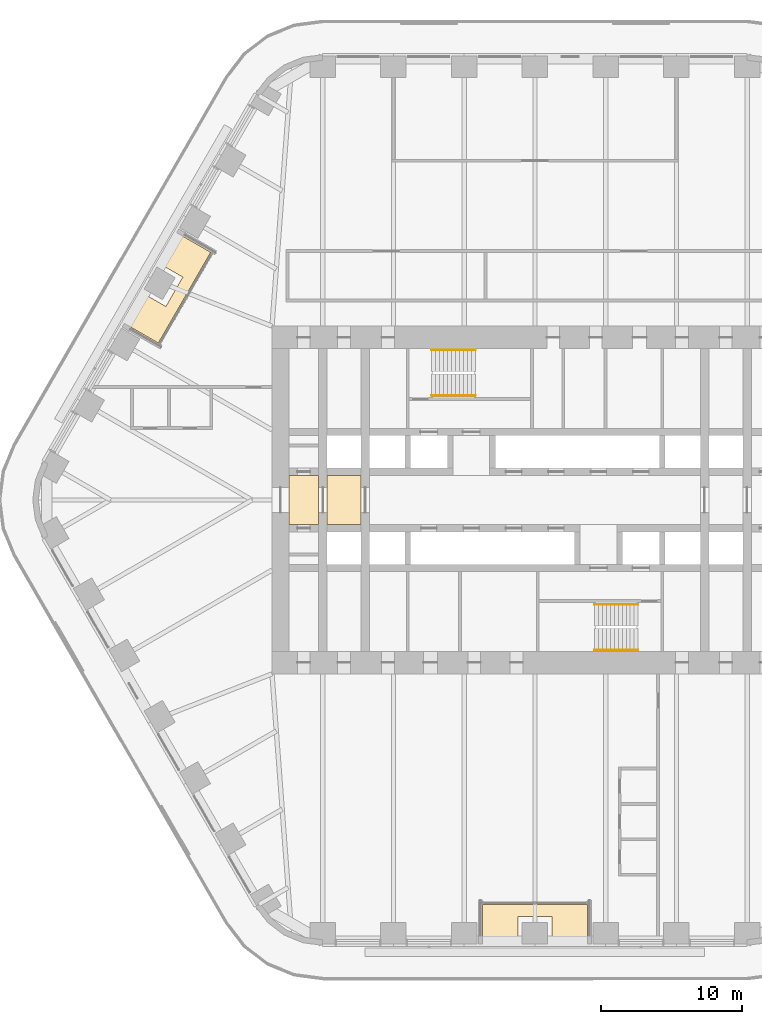
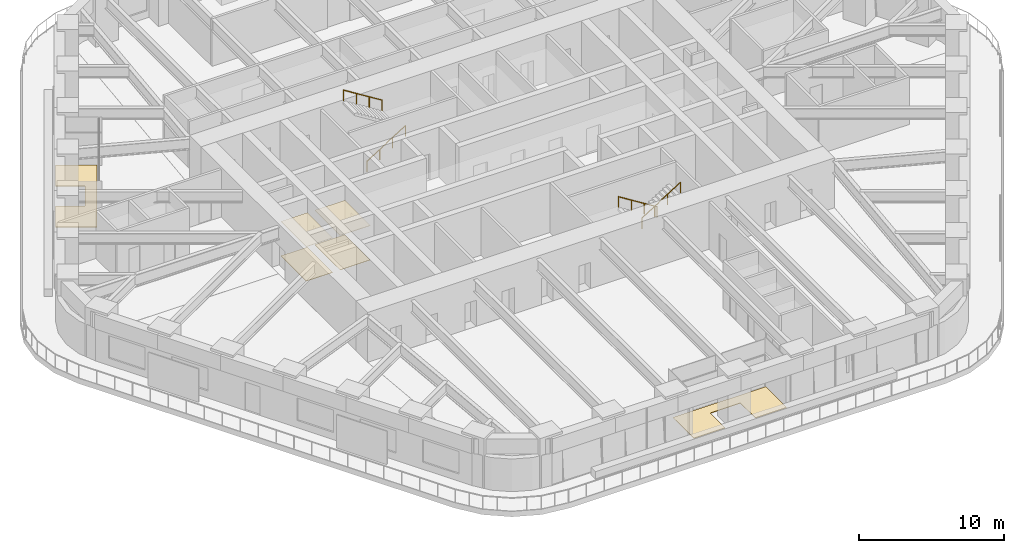
# One storey, part 22 of 24: 6 coverings, 4 railings.
"""IFC4 building model written with IfcOpenShell, lengths in metres."""

from ifc_helpers import new_model, si_unit, direction, frame, origin, origin_2d, place, context, subcontext, project, spatial, polyline, circle, outline, extrude, material, layer, layer_set, type_object, element, save


model = new_model("IFC4")

# Units and contexts
model_context = context("Model", 3, precision=1e-05, world=origin(), true_north=direction((0.0, 1.0)))
body_context = subcontext(model_context, "Body", "Model", "MODEL_VIEW")
ifc_project = project(units=[si_unit("LENGTHUNIT", "METRE"), si_unit("AREAUNIT", "SQUARE_METRE"), si_unit("VOLUMEUNIT", "CUBIC_METRE"), si_unit("PLANEANGLEUNIT", "RADIAN"), si_unit("MASSUNIT", "GRAM", prefix="KILO")], contexts=[model_context])

# Site, building, storey
site_placement = place(None, origin())
site = spatial("IfcSite", under=ifc_project, at=site_placement, CompositionType="ELEMENT")
building_placement = place(site_placement, origin())
building = spatial("IfcBuilding", under=site, at=building_placement, Name="Tarfa Lantern Tower", CompositionType="ELEMENT")
storey_placement = place(building_placement, frame((0.0, 0.0, 136.300048828125)))
storey = spatial("IfcBuildingStorey", under=building, at=storey_placement, Name="L30", CompositionType="ELEMENT", Elevation=136.300048828125)

# Coverings
ifc_material_1 = material(Name="Powder-coated aluminium panel", Category="aluminium")
ifc_layer_1 = layer(ifc_material_1, 0.030029296875)
ifc_layer_set_1 = layer_set([ifc_layer_1], Name="CL3 METAL PANEL CEILING 30")
covering_type_1 = type_object("IfcCoveringType", Name="CL3 METAL PANEL CEILING 30", PredefinedType="CEILING", material=ifc_layer_set_1)
covering_1_placement = place(storey_placement, frame((0.0, 0.0, 2.89990234375)))
element("IfcCovering", 1, at=covering_1_placement, inside=storey, type_object=covering_type_1, Name="Ceiling L30-01", PredefinedType="CEILING", context=body_context, shape_type="SweptSolid", body=[
    extrude(outline(polyline([(-17.39990234375, -1.75), (-15.300048828125, -1.75), (-15.300048828125, 1.75), (-17.39990234375, 1.75), (-17.39990234375, -1.75)])), origin(), (0.0, 0.0, 1.0), 0.030029296875),
])
covering_2_placement = place(storey_placement, frame((0.0, 0.0, 2.89990234375)))
element("IfcCovering", 2, at=covering_2_placement, inside=storey, type_object=covering_type_1, Name="Ceiling L30-02", PredefinedType="CEILING", context=body_context, shape_type="SweptSolid", body=[
    extrude(outline(polyline([(-14.699951171875, -1.75), (-12.300048828125, -1.75), (-12.300048828125, 1.75), (-14.699951171875, 1.75), (-14.699951171875, -1.75)])), origin(), (0.0, 0.0, 1.0), 0.030029296875),
])
ifc_material_2 = material(Name="Honed limestone flooring", Category="masonry")
ifc_layer_2 = layer(ifc_material_2, 0.030029296875)
ifc_layer_set_2 = layer_set([ifc_layer_2], Name="FL2 STONE FLOORING 30")
covering_type_2 = type_object("IfcCoveringType", Name="FL2 STONE FLOORING 30", PredefinedType="FLOORING", material=ifc_layer_set_2)
covering_3_placement = place(storey_placement, origin())
element("IfcCovering", 3, at=covering_3_placement, inside=storey, type_object=covering_type_2, Name="Floor finish L30-01", PredefinedType="FLOORING", context=body_context, shape_type="SweptSolid", body=[
    extrude(outline(polyline([(-17.39990234375, -1.75), (-15.300048828125, -1.75), (-15.300048828125, 1.75), (-17.39990234375, 1.75), (-17.39990234375, -1.75)])), origin(), (0.0, 0.0, 1.0), 0.030029296875),
])
covering_4_placement = place(storey_placement, origin())
element("IfcCovering", 4, at=covering_4_placement, inside=storey, type_object=covering_type_2, Name="Floor finish L30-02", PredefinedType="FLOORING", context=body_context, shape_type="SweptSolid", body=[
    extrude(outline(polyline([(-14.699951171875, -1.75), (-12.300048828125, -1.75), (-12.300048828125, 1.75), (-14.699951171875, 1.75), (-14.699951171875, -1.75)])), origin(), (0.0, 0.0, 1.0), 0.030029296875),
])

# Railings
ifc_material_3 = material(Name="Stainless steel", Category="steel")
railing_type = type_object("IfcRailingType", Name="HR1 HANDRAIL 900", PredefinedType="HANDRAIL", material=ifc_material_3)
railing_1_placement = place(storey_placement, frame((-7.300048828125, 7.3798828125, 0.175048828125)))
element("IfcRailing", 5, at=railing_1_placement, inside=storey, type_object=railing_type, Name="Handrail 1", PredefinedType="HANDRAIL", context=body_context, shape_type="SweptSolid", body=[
    extrude(circle(Radius=0.02392578125, at=origin_2d()), frame((0.0, 0.0, 0.8759765625), z_axis=(0.848028513186, 0.0, 0.529950602248), x_axis=(0.0, 1.0, 0.0)), (0.0, 0.0, 1.0), 3.632080078125),
    extrude(circle(Radius=0.02099609375, at=origin_2d()), frame((0.0, 0.0, 0.0), z_axis=(0.0, 0.0, 1.0), x_axis=(0.0, 1.0, 0.0)), (0.0, 0.0, 1.0), 0.851806640625),
    extrude(circle(Radius=0.02099609375, at=origin_2d()), frame((1.026611328125, 0.0, 0.6416015625), z_axis=(0.0, 0.0, 1.0), x_axis=(0.0, 1.0, 0.0)), (0.0, 0.0, 1.0), 0.851806640625),
    extrude(circle(Radius=0.02099609375, at=origin_2d()), frame((2.053466796875, 0.0, 1.283203125), z_axis=(0.0, 0.0, 1.0), x_axis=(0.0, 1.0, 0.0)), (0.0, 0.0, 1.0), 0.851806640625),
    extrude(circle(Radius=0.02099609375, at=origin_2d()), frame((3.080078125, 0.0, 1.9248046875), z_axis=(0.0, 0.0, 1.0), x_axis=(0.0, 1.0, 0.0)), (0.0, 0.0, 1.0), 0.851806640625),
])
railing_2_placement = place(storey_placement, frame((-4.219970703125, 10.6201171875, 2.27490234375)))
element("IfcRailing", 6, at=railing_2_placement, inside=storey, type_object=railing_type, Name="Handrail 2", PredefinedType="HANDRAIL", context=body_context, shape_type="SweptSolid", body=[
    extrude(circle(Radius=0.02392578125, at=origin_2d()), frame((0.0, 0.0, 0.8759765625), z_axis=(-0.847998304005, 0.0, 0.529998940003), x_axis=(0.0, -1.0, 0.0)), (0.0, 0.0, 1.0), 3.632080078125),
    extrude(circle(Radius=0.02099609375, at=origin_2d()), frame((0.0, 0.0, 0.0), z_axis=(0.0, 0.0, 1.0), x_axis=(0.0, -1.0, 0.0)), (0.0, 0.0, 1.0), 0.851806640625),
    extrude(circle(Radius=0.02099609375, at=origin_2d()), frame((-1.026611328125, 0.0, 0.6416015625), z_axis=(0.0, 0.0, 1.0), x_axis=(0.0, -1.0, 0.0)), (0.0, 0.0, 1.0), 0.851806640625),
    extrude(circle(Radius=0.02099609375, at=origin_2d()), frame((-2.053466796875, 0.0, 1.283447265625), z_axis=(0.0, 0.0, 1.0), x_axis=(0.0, -1.0, 0.0)), (0.0, 0.0, 1.0), 0.851806640625),
    extrude(circle(Radius=0.02099609375, at=origin_2d()), frame((-3.080078125, 0.0, 1.925048828125), z_axis=(0.0, 0.0, 1.0), x_axis=(0.0, -1.0, 0.0)), (0.0, 0.0, 1.0), 0.851806640625),
])
railing_3_placement = place(storey_placement, frame((7.300048828125, -7.3798828125, 0.175048828125)))
element("IfcRailing", 7, at=railing_3_placement, inside=storey, type_object=railing_type, Name="Handrail 1", PredefinedType="HANDRAIL", context=body_context, shape_type="SweptSolid", body=[
    extrude(circle(Radius=0.02392578125, at=origin_2d()), frame((0.0, 0.0, 0.8759765625), z_axis=(-0.848028513186, 0.0, 0.529950602248), x_axis=(0.0, -1.0, 0.0)), (0.0, 0.0, 1.0), 3.632080078125),
    extrude(circle(Radius=0.02099609375, at=origin_2d()), frame((0.0, 0.0, 0.0), z_axis=(0.0, 0.0, 1.0), x_axis=(0.0, -1.0, 0.0)), (0.0, 0.0, 1.0), 0.851806640625),
    extrude(circle(Radius=0.02099609375, at=origin_2d()), frame((-1.026611328125, 0.0, 0.6416015625), z_axis=(0.0, 0.0, 1.0), x_axis=(0.0, -1.0, 0.0)), (0.0, 0.0, 1.0), 0.851806640625),
    extrude(circle(Radius=0.02099609375, at=origin_2d()), frame((-2.053466796875, 0.0, 1.283203125), z_axis=(0.0, 0.0, 1.0), x_axis=(0.0, -1.0, 0.0)), (0.0, 0.0, 1.0), 0.851806640625),
    extrude(circle(Radius=0.02099609375, at=origin_2d()), frame((-3.080078125, 0.0, 1.9248046875), z_axis=(0.0, 0.0, 1.0), x_axis=(0.0, -1.0, 0.0)), (0.0, 0.0, 1.0), 0.851806640625),
])
railing_4_placement = place(storey_placement, frame((4.219970703125, -10.6201171875, 2.27490234375)))
element("IfcRailing", 8, at=railing_4_placement, inside=storey, type_object=railing_type, Name="Handrail 2", PredefinedType="HANDRAIL", context=body_context, shape_type="SweptSolid", body=[
    extrude(circle(Radius=0.02392578125, at=origin_2d()), frame((0.0, 0.0, 0.8759765625), z_axis=(0.847998304005, 0.0, 0.529998940003), x_axis=(0.0, 1.0, 0.0)), (0.0, 0.0, 1.0), 3.632080078125),
    extrude(circle(Radius=0.02099609375, at=origin_2d()), frame((0.0, 0.0, 0.0), z_axis=(0.0, 0.0, 1.0), x_axis=(0.0, 1.0, 0.0)), (0.0, 0.0, 1.0), 0.851806640625),
    extrude(circle(Radius=0.02099609375, at=origin_2d()), frame((1.026611328125, 0.0, 0.6416015625), z_axis=(0.0, 0.0, 1.0), x_axis=(0.0, 1.0, 0.0)), (0.0, 0.0, 1.0), 0.851806640625),
    extrude(circle(Radius=0.02099609375, at=origin_2d()), frame((2.053466796875, 0.0, 1.283447265625), z_axis=(0.0, 0.0, 1.0), x_axis=(0.0, 1.0, 0.0)), (0.0, 0.0, 1.0), 0.851806640625),
    extrude(circle(Radius=0.02099609375, at=origin_2d()), frame((3.080078125, 0.0, 1.925048828125), z_axis=(0.0, 0.0, 1.0), x_axis=(0.0, 1.0, 0.0)), (0.0, 0.0, 1.0), 0.851806640625),
])

# Coverings
ifc_material_4 = material(Name="Porcelain pavers on pedestals", Category="ceramic")
ifc_layer_3 = layer(ifc_material_4, 0.0400390625)
ifc_layer_set_3 = layer_set([ifc_layer_3], Name="LP1 LOGGIA PAVING 40")
covering_type_3 = type_object("IfcCoveringType", Name="LP1 LOGGIA PAVING 40", PredefinedType="FLOORING", material=ifc_layer_set_3)
covering_5_placement = place(storey_placement, origin())
element("IfcCovering", 9, at=covering_5_placement, inside=storey, type_object=covering_type_3, Name="Loggia paving NW", PredefinedType="FLOORING", context=body_context, shape_type="SweptSolid", body=[
    extrude(outline(polyline([(-25.427978515625, 18.95751953125), (-22.933837890625, 17.517578125), (-26.637451171875, 11.1025390625), (-29.131591796875, 12.54248046875), (-27.8798828125, 14.710693359375), (-26.1044921875, 13.685791015625), (-24.904541015625, 15.76416015625), (-26.6796875, 16.789306640625), (-25.427978515625, 18.95751953125)])), origin(), (0.0, 0.0, 1.0), 0.0400390625),
])
covering_6_placement = place(storey_placement, origin())
element("IfcCovering", 10, at=covering_6_placement, inside=storey, type_object=covering_type_3, Name="Loggia paving S", PredefinedType="FLOORING", context=body_context, shape_type="SweptSolid", body=[
    extrude(outline(polyline([(-3.70361328125, -31.5), (-3.70361328125, -28.6201171875), (3.70361328125, -28.6201171875), (3.70361328125, -31.5), (1.199951171875, -31.5), (1.199951171875, -29.449951171875), (-1.199951171875, -29.449951171875), (-1.199951171875, -31.5), (-3.70361328125, -31.5)])), origin(), (0.0, 0.0, 1.0), 0.0400390625),
])

save(model, "model.ifc")
